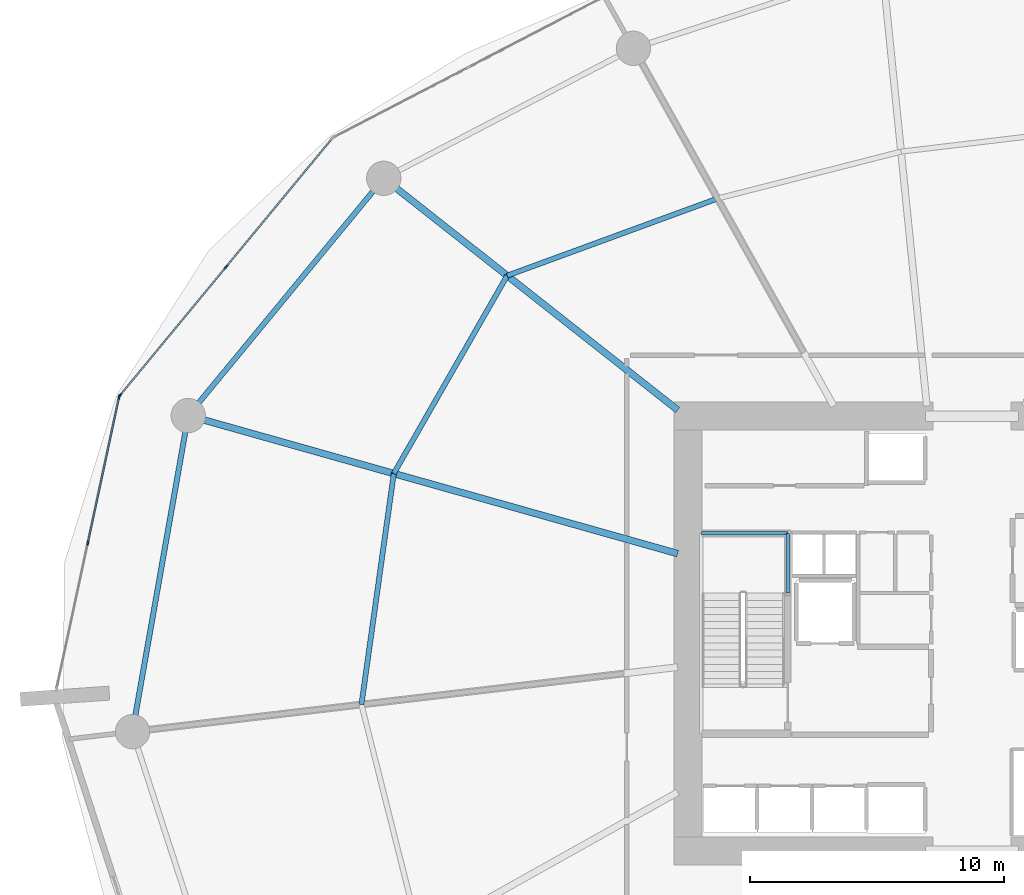
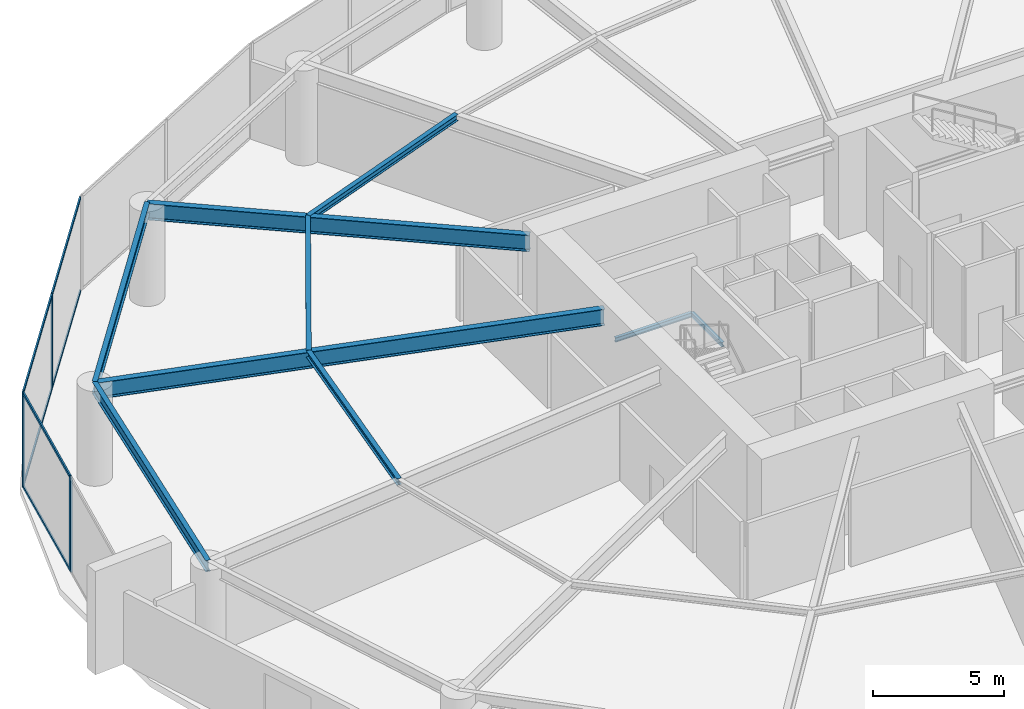
# One storey, part 12 of 22: 10 members, 9 beams, 2 elements without a shape of their own.
"""IFC4 building model written with IfcOpenShell, lengths in metres."""

import ifcopenshell
import ifcopenshell.guid

model = None  # the IFC model being written
_history = None  # IfcOwnerHistory: only IFC2X3 demands one
_inside = {}  # id of a spatial element -> (the spatial element, [elements in it])
_under = {}  # id of a project, library or spatial element -> (it, [spatial elements below it])
_declared = {}  # id of a project -> (the project, [libraries it declares])
_typed = {}  # id of a type object -> (the type object, [elements of that type])
_made_of = {}  # id of a material, layer set ... -> (it, [elements and type objects made of it])


def new_model(schema):
    """Start an empty IFC model of exactly this schema.

    Asked for "IFC4X3", IfcOpenShell would pick the latest addendum, in which some entities
    have other attributes; the version numbers below select the first issue.
    IFC2X3 requires an IfcOwnerHistory on every rooted entity: one is made here for all.
    """
    global model, _history
    if schema == "IFC4X3":
        model = ifcopenshell.file(schema_version=(4, 3, 0, 0))
    else:
        model = ifcopenshell.file(schema=schema)
    _inside.clear()
    _under.clear()
    _declared.clear()
    _typed.clear()
    _made_of.clear()
    _history = None
    if model.schema == "IFC2X3":
        org = make("IfcOrganization", Name="unknown")
        user = make(
            "IfcPersonAndOrganization",
            ThePerson=make("IfcPerson", FamilyName="unknown"),
            TheOrganization=org,
        )
        app = make(
            "IfcApplication",
            ApplicationDeveloper=org,
            Version="unknown",
            ApplicationFullName="unknown",
            ApplicationIdentifier="unknown",
        )
        _history = make(
            "IfcOwnerHistory",
            OwningUser=user,
            OwningApplication=app,
            ChangeAction="ADDED",
            CreationDate=0,
        )
    return model


def make(cls, **values):
    """One entity of the class cls with the attributes given. An attribute that is None is left unset."""
    return model.create_entity(
        cls, **{name: value for name, value in values.items() if value is not None}
    )


def rooted(cls, **values):
    """An entity with a GlobalId (a new one), such as an element, a storey or a relation."""
    return make(cls, GlobalId=ifcopenshell.guid.new(), OwnerHistory=_history, **values)


def si_unit(unit_type, name, prefix=None):
    """IfcSIUnit, for example si_unit("LENGTHUNIT", "METRE", prefix="MILLI")."""
    return make("IfcSIUnit", UnitType=unit_type, Prefix=prefix, Name=name)


def assignment(units):
    """IfcUnitAssignment: the units of a project."""
    return None if units is None else make("IfcUnitAssignment", Units=units)


def point(xyz):
    """IfcCartesianPoint."""
    return None if xyz is None else make("IfcCartesianPoint", Coordinates=xyz)


def direction(xyz):
    """IfcDirection."""
    return None if xyz is None else make("IfcDirection", DirectionRatios=xyz)


def frame(location, z_axis=None, x_axis=None):
    """IfcAxis2Placement3D, a coordinate frame: its origin and axes. An axis left out is left unset."""
    return make(
        "IfcAxis2Placement3D",
        Location=point(location),
        Axis=direction(z_axis),
        RefDirection=direction(x_axis),
    )


def frame_2d(location, x_axis=None):
    """IfcAxis2Placement2D, a coordinate frame in the plane: its origin and x axis."""
    return make(
        "IfcAxis2Placement2D", Location=point(location), RefDirection=direction(x_axis)
    )


def origin():
    """The frame at (0, 0, 0) with its axes left unset."""
    return frame((0.0, 0.0, 0.0))


def origin_2d():
    """The frame at (0, 0) in the plane with its x axis left unset."""
    return frame_2d((0.0, 0.0))


def place(relative_to, where):
    """IfcLocalPlacement: puts the frame where relative to a parent placement (None: the world)."""
    return make(
        "IfcLocalPlacement", PlacementRelTo=relative_to, RelativePlacement=where
    )


def context(
    kind, dimensions, precision=None, world=None, true_north=None, identifier=None
):
    """IfcGeometricRepresentationContext, for example the 3D "Model" context."""
    return make(
        "IfcGeometricRepresentationContext",
        ContextIdentifier=identifier,
        ContextType=kind,
        CoordinateSpaceDimension=dimensions,
        Precision=precision,
        WorldCoordinateSystem=world,
        TrueNorth=true_north,
    )


def subcontext(parent, identifier, kind, view, scale=None):
    """IfcGeometricRepresentationSubContext, for example "Body" below "Model"."""
    return make(
        "IfcGeometricRepresentationSubContext",
        ContextIdentifier=identifier,
        ContextType=kind,
        ParentContext=parent,
        TargetScale=scale,
        TargetView=view,
    )


def project(units=None, contexts=None):
    """IfcProject with its units and contexts."""
    return rooted(
        "IfcProject",
        Name="project",
        RepresentationContexts=contexts,
        UnitsInContext=assignment(units),
    )


def spatial(cls, under=None, at=None, **own):
    """A site, building, storey or space (cls), placed at a placement, below another one or the project."""
    s = rooted(cls, ObjectPlacement=at, **own)
    if under is not None:
        _under.setdefault(under.id(), (under, []))[1].append(s)
    return s


def profile(cls, at=None, kind="AREA", **sizes):
    """A parametric profile (cls). Its sizes go by their IFC names, for example OverallWidth=200.0."""
    return make(cls, ProfileType=kind, Position=at, **sizes)


def rectangle(**sizes):
    """IfcRectangleProfileDef."""
    return profile("IfcRectangleProfileDef", **sizes)


def i_section(**sizes):
    """IfcIShapeProfileDef."""
    return profile("IfcIShapeProfileDef", **sizes)


def extrude(swept, where, along, depth):
    """IfcExtrudedAreaSolid: the profile swept, set in the frame where, extruded along a direction by depth."""
    return make(
        "IfcExtrudedAreaSolid",
        SweptArea=swept,
        Position=where,
        ExtrudedDirection=direction(along),
        Depth=depth,
    )


def shape(context_of_items, identifier, shape_type, items):
    """IfcShapeRepresentation: the items that make up one representation, for example the "Body"."""
    return make(
        "IfcShapeRepresentation",
        ContextOfItems=context_of_items,
        RepresentationIdentifier=identifier,
        RepresentationType=shape_type,
        Items=items,
    )


def material(Name=None, Category=None):
    """IfcMaterial."""
    return make("IfcMaterial", Name=Name, Category=Category)


def layer(
    of_material, thickness, ventilated=None, Name=None, Category=None, Priority=None
):
    """IfcMaterialLayer: one layer of a wall or slab, of a material (None: an air gap)."""
    return make(
        "IfcMaterialLayer",
        Material=of_material,
        LayerThickness=thickness,
        IsVentilated=ventilated,
        Name=Name,
        Category=Category,
        Priority=Priority,
    )


def layer_set(layers, Name=None):
    """IfcMaterialLayerSet."""
    return make("IfcMaterialLayerSet", MaterialLayers=layers, LayerSetName=Name)


def material_profile(
    of_material, cross_section, Name=None, Category=None, Priority=None
):
    """IfcMaterialProfile: a cross section and its material."""
    return make(
        "IfcMaterialProfile",
        Name=Name,
        Material=of_material,
        Profile=cross_section,
        Priority=Priority,
        Category=Category,
    )


def profile_set(profiles, Name=None, composite=None):
    """IfcMaterialProfileSet."""
    return make(
        "IfcMaterialProfileSet",
        Name=Name,
        MaterialProfiles=profiles,
        CompositeProfile=composite,
    )


def made_of(thing, what):
    """Note that an element or type object is made of a material, layer set ...; save() writes the relation."""
    if what is not None:
        _made_of.setdefault(what.id(), (what, []))[1].append(thing)
    return thing


def type_object(cls, material=None, **own):
    """A type object (cls), such as IfcWallType, which elements share."""
    return made_of(rooted(cls, **own), material)


def element(
    cls,
    number,
    at=None,
    inside=None,
    cuts=None,
    type_object=None,
    material=None,
    context=None,
    identifier="Body",
    shape_type=None,
    held_by="IfcProductDefinitionShape",
    body=None,
    shapes=None,
    **own,
):
    """One element of the class cls, such as IfcWall. Its Tag is "e" and its number.

    at: its placement. inside: the storey or other place that contains it. cuts: it is an
    opening in that element (IfcRelVoidsElement). A single representation is given by context,
    identifier, shape_type and body (its items); several are given by shapes. held_by: the class
    of the entity that holds the representations. save() writes the other relations.
    """
    e = rooted(cls, Tag="e%d" % number, ObjectPlacement=at, **own)
    if body is not None:
        shapes = [shape(context, identifier, shape_type, body)]
    if shapes is not None:
        e.Representation = make(held_by, Representations=shapes)
    if inside is not None:
        _inside.setdefault(inside.id(), (inside, []))[1].append(e)
    if cuts is not None:
        rooted(
            "IfcRelVoidsElement", RelatingBuildingElement=cuts, RelatedOpeningElement=e
        )
    if type_object is not None:
        _typed.setdefault(type_object.id(), (type_object, []))[1].append(e)
    return made_of(e, material)


def aggregate(whole, parts):
    """IfcRelAggregates: a whole, such as a stair, and the parts it consists of."""
    return rooted("IfcRelAggregates", RelatingObject=whole, RelatedObjects=parts)


def save(model, path):
    """Write the relations noted so far, then the file.

    IfcRelAggregates (storeys below a building ...), IfcRelContainedInSpatialStructure (elements
    in a storey), IfcRelDefinesByType, IfcRelAssociatesMaterial and IfcRelDeclares: one each for
    every whole, place, type object, material and project.
    """
    for whole, parts in _under.values():
        aggregate(whole, parts)
    for where, things in _inside.values():
        rooted(
            "IfcRelContainedInSpatialStructure",
            RelatedElements=things,
            RelatingStructure=where,
        )
    for kind, things in _typed.values():
        rooted("IfcRelDefinesByType", RelatedObjects=things, RelatingType=kind)
    for what, things in _made_of.values():
        rooted("IfcRelAssociatesMaterial", RelatedObjects=things, RelatingMaterial=what)
    for by, libraries in _declared.values():
        rooted("IfcRelDeclares", RelatingContext=by, RelatedDefinitions=libraries)
    model.write(path)


model = new_model("IFC4")

# Units and contexts
model_context = context("Model", 3, precision=1e-05, world=origin(), true_north=direction((0.0, 1.0)))
body_context = subcontext(model_context, "Body", "Model", "MODEL_VIEW")
ifc_project = project(units=[si_unit("LENGTHUNIT", "METRE"), si_unit("AREAUNIT", "SQUARE_METRE"), si_unit("VOLUMEUNIT", "CUBIC_METRE"), si_unit("PLANEANGLEUNIT", "RADIAN"), si_unit("MASSUNIT", "GRAM", prefix="KILO")], contexts=[model_context])

# Site, building, storey
site_placement = place(None, origin())
site = spatial("IfcSite", under=ifc_project, at=site_placement, CompositionType="ELEMENT")
building_placement = place(site_placement, origin())
building = spatial("IfcBuilding", under=site, at=building_placement, Name="Kazma Halo Residences", CompositionType="ELEMENT")
storey_placement = place(building_placement, frame((0.0, 0.0, 16.800048828125)))
storey = spatial("IfcBuildingStorey", under=building, at=storey_placement, Name="L03", CompositionType="ELEMENT", Elevation=16.800048828125)

# Beams
ifc_material_1 = material(Name="Steel S355", Category="steel")
ifc_material_profile_1 = material_profile(ifc_material_1, i_section(OverallWidth=0.26708984375, OverallDepth=0.761962890625, WebThickness=0.014404296875, FlangeThickness=0.021484375, FilletRadius=0.02001953125, at=origin_2d()), Name="W760x173")
ifc_profile_set_1 = profile_set([ifc_material_profile_1], Name="Steel S355")
beam_type_1 = type_object("IfcBeamType", Name="BM-POD-W760", PredefinedType="BEAM", material=ifc_profile_set_1)
beam_1_placement = place(storey_placement, frame((36.85009765625, 50.7900390625, 4.01904296875), z_axis=(-0.785321582594, 0.619088048594, 0.0), x_axis=(-0.619088048594, -0.785321582594, 0.0)))
element("IfcBeam", 1, at=beam_1_placement, inside=storey, type_object=beam_type_1, Name="L03 radial floor beam 06", PredefinedType="BEAM", context=body_context, shape_type="SweptSolid", body=[
    extrude(i_section(OverallWidth=0.26708984375, OverallDepth=0.761962890625, WebThickness=0.014404296875, FlangeThickness=0.021484375, FilletRadius=0.02001953125, at=origin_2d()), origin(), (0.0, 0.0, 1.0), 14.718994140625),
])
beam_2_placement = place(storey_placement, frame((36.85009765625, 45.14453125, 4.01904296875), z_axis=(-0.962454909869, 0.271441607845, 0.0), x_axis=(-0.271441607845, -0.962454909869, 0.0)))
element("IfcBeam", 2, at=beam_2_placement, inside=storey, type_object=beam_type_1, Name="L03 radial floor beam 07", PredefinedType="BEAM", context=body_context, shape_type="SweptSolid", body=[
    extrude(i_section(OverallWidth=0.26708984375, OverallDepth=0.761962890625, WebThickness=0.014404296875, FlangeThickness=0.021484375, FilletRadius=0.02001953125, at=origin_2d()), origin(), (0.0, 0.0, 1.0), 19.99853515625),
])
ifc_material_profile_2 = material_profile(ifc_material_1, i_section(OverallWidth=0.202880859375, OverallDepth=0.302978515625, WebThickness=0.007568359375, FlangeThickness=0.01318359375, FilletRadius=0.013916015625, at=origin_2d()), Name="W310x60")
ifc_profile_set_2 = profile_set([ifc_material_profile_2], Name="Steel S355")
beam_type_2 = type_object("IfcBeamType", Name="BM-SEC-W310A", PredefinedType="JOIST", material=ifc_profile_set_2)
beam_3_placement = place(storey_placement, frame((38.419189453125, 59.10791015625, 4.24853515625), z_axis=(-0.938908549767, -0.344166725838, 0.0), x_axis=(0.344166725838, -0.938908549767, 0.0)))
element("IfcBeam", 3, at=beam_3_placement, inside=storey, type_object=beam_type_2, Name="L03 circumferential floor joist 05", PredefinedType="JOIST", context=body_context, shape_type="SweptSolid", body=[
    extrude(i_section(OverallWidth=0.202880859375, OverallDepth=0.302978515625, WebThickness=0.007568359375, FlangeThickness=0.01318359375, FilletRadius=0.013916015625, at=origin_2d()), origin(), (0.0, 0.0, 1.0), 8.811767578125),
])
beam_4_placement = place(storey_placement, frame((30.145751953125, 56.0751953125, 4.24853515625), z_axis=(-0.497199727341, -0.867636116775, 0.0), x_axis=(0.867636116775, -0.497199727341, 0.0)))
element("IfcBeam", 4, at=beam_4_placement, inside=storey, type_object=beam_type_2, Name="L03 circumferential floor joist 06", PredefinedType="JOIST", context=body_context, shape_type="SweptSolid", body=[
    extrude(i_section(OverallWidth=0.202880859375, OverallDepth=0.302978515625, WebThickness=0.007568359375, FlangeThickness=0.01318359375, FilletRadius=0.013916015625, at=origin_2d()), origin(), (0.0, 0.0, 1.0), 8.96923828125),
])
beam_5_placement = place(storey_placement, frame((25.686279296875, 48.293212890625, 4.24853515625), z_axis=(-0.138581542975, -0.99035102663, 0.0), x_axis=(0.99035102663, -0.138581542975, 0.0)))
element("IfcBeam", 5, at=beam_5_placement, inside=storey, type_object=beam_type_2, Name="L03 circumferential floor joist 07", PredefinedType="JOIST", context=body_context, shape_type="SweptSolid", body=[
    extrude(i_section(OverallWidth=0.202880859375, OverallDepth=0.302978515625, WebThickness=0.007568359375, FlangeThickness=0.01318359375, FilletRadius=0.013916015625, at=origin_2d()), origin(), (0.0, 0.0, 1.0), 9.17333984375),
])
ifc_material_profile_3 = material_profile(ifc_material_1, i_section(OverallWidth=0.208984375, OverallDepth=0.532958984375, WebThickness=0.01025390625, FlangeThickness=0.015625, FilletRadius=0.01611328125, at=origin_2d()), Name="W530x92")
ifc_profile_set_3 = profile_set([ifc_material_profile_3], Name="Steel S355")
beam_type_3 = type_object("IfcBeamType", Name="BM-SPN-W530", PredefinedType="BEAM", material=ifc_profile_set_3)
beam_6_placement = place(storey_placement, frame((25.291015625, 59.90234375, 4.133544921875), z_axis=(-0.635989643733, -0.771697591718, 0.0), x_axis=(0.771697591718, -0.635989643733, 0.0)))
element("IfcBeam", 6, at=beam_6_placement, inside=storey, type_object=beam_type_3, Name="L03 perimeter ring beam 06", PredefinedType="BEAM", context=body_context, shape_type="SweptSolid", body=[
    extrude(i_section(OverallWidth=0.208984375, OverallDepth=0.532958984375, WebThickness=0.01025390625, FlangeThickness=0.015625, FilletRadius=0.01611328125, at=origin_2d()), origin(), (0.0, 0.0, 1.0), 12.08935546875),
])
beam_7_placement = place(storey_placement, frame((17.602294921875, 50.572998046875, 4.133544921875), z_axis=(-0.173657334149, -0.984806138434, 0.0), x_axis=(0.984806138434, -0.173657334149, 0.0)))
element("IfcBeam", 7, at=beam_7_placement, inside=storey, type_object=beam_type_3, Name="L03 perimeter ring beam 07", PredefinedType="BEAM", context=body_context, shape_type="SweptSolid", body=[
    extrude(i_section(OverallWidth=0.208984375, OverallDepth=0.532958984375, WebThickness=0.01025390625, FlangeThickness=0.015625, FilletRadius=0.01611328125, at=origin_2d()), origin(), (0.0, 0.0, 1.0), 12.6220703125),
])
ifc_material_profile_4 = material_profile(ifc_material_1, i_section(OverallWidth=0.133056640625, OverallDepth=0.20703125, WebThickness=0.005859375, FlangeThickness=0.00830078125, FilletRadius=0.010009765625, at=origin_2d()), Name="W200x26.6")
ifc_profile_set_4 = profile_set([ifc_material_profile_4], Name="Steel S355")
beam_type_4 = type_object("IfcBeamType", Name="BM-TRIM-W200", PredefinedType="BEAM", material=ifc_profile_set_4)
beam_8_placement = place(storey_placement, frame((41.179931640625, 43.590087890625, 2.094970703125), z_axis=(0.0, 1.0, 0.0), x_axis=(-1.0, 0.0, 0.0)))
element("IfcBeam", 8, at=beam_8_placement, inside=storey, type_object=beam_type_4, Name="L03 ST-01 landing east wall ledger", PredefinedType="BEAM", context=body_context, shape_type="SweptSolid", body=[
    extrude(i_section(OverallWidth=0.133056640625, OverallDepth=0.20703125, WebThickness=0.005859375, FlangeThickness=0.00830078125, FilletRadius=0.010009765625, at=origin_2d()), origin(), (0.0, 0.0, 1.0), 2.349853515625),
])
beam_9_placement = place(storey_placement, frame((37.780029296875, 45.93994140625, 2.094970703125), z_axis=(1.0, 0.0, 0.0), x_axis=(0.0, 1.0, 0.0)))
element("IfcBeam", 9, at=beam_9_placement, inside=storey, type_object=beam_type_4, Name="L03 ST-01 landing end wall ledger", PredefinedType="BEAM", context=body_context, shape_type="SweptSolid", body=[
    extrude(i_section(OverallWidth=0.133056640625, OverallDepth=0.20703125, WebThickness=0.005859375, FlangeThickness=0.00830078125, FilletRadius=0.010009765625, at=origin_2d()), origin(), (0.0, 0.0, 1.0), 3.39990234375),
])

# Curtain wall, members
ifc_material_2 = material(Name="Aluminium AW-6063 T6 and Triple-Silver Low-E Glass", Category="aluminium")
ifc_layer = layer(ifc_material_2, 0.179931640625)
ifc_layer_set = layer_set([ifc_layer], Name="Aluminium AW-6063 T6 and Triple-Silver Low-E Glass")
curtain_wall_type = type_object("IfcCurtainWallType", Name="CW-SYS-1", PredefinedType="NOTDEFINED", material=ifc_layer_set)
curtain_wall_1_placement = place(storey_placement, origin())
curtain_wall_1 = element("IfcCurtainWall", 10, at=curtain_wall_1_placement, inside=storey, type_object=curtain_wall_type, Name="L03 unitised curtain wall B06", PredefinedType="NOTDEFINED")
ifc_material_3 = material(Name="Aluminium AW-6063 T6", Category="aluminium")
ifc_material_profile_5 = material_profile(ifc_material_3, rectangle(XDim=0.06494140625, YDim=0.179931640625, at=origin_2d()), Name="CWM-65x180")
ifc_profile_set_5 = profile_set([ifc_material_profile_5], Name="Aluminium AW-6063 T6")
member_type_1 = type_object("IfcMemberType", Name="CW-SYS-1-MUL", PredefinedType="MULLION", material=ifc_profile_set_5)
member_1_placement = place(storey_placement, frame((19.084716796875, 56.4140625, 0.0), z_axis=(0.0, 0.0, 1.0), x_axis=(0.771191775002, -0.636602895194, 0.0)))
member_1 = element("IfcMember", 11, at=member_1_placement, type_object=member_type_1, Name="CWS-1 mullion 2", PredefinedType="MULLION", context=body_context, shape_type="SweptSolid", body=[
    extrude(rectangle(XDim=0.06494140625, YDim=0.179931640625, at=origin_2d()), origin(), (0.0, 0.0, 1.0), 4.39990234375),
])
member_2_placement = place(storey_placement, frame((14.91455078125, 51.362060546875, 0.0), z_axis=(0.0, 0.0, 1.0), x_axis=(0.771191775002, -0.636602895194, 0.0)))
member_2 = element("IfcMember", 12, at=member_2_placement, type_object=member_type_1, Name="CWS-1 mullion 3", PredefinedType="MULLION", context=body_context, shape_type="SweptSolid", body=[
    extrude(rectangle(XDim=0.06494140625, YDim=0.179931640625, at=origin_2d()), origin(), (0.0, 0.0, 1.0), 4.39990234375),
])

curtain_wall_2_placement = place(storey_placement, origin())
curtain_wall_2 = element("IfcCurtainWall", 13, at=curtain_wall_2_placement, inside=storey, type_object=curtain_wall_type, Name="L03 unitised curtain wall B07", PredefinedType="NOTDEFINED")
member_3_placement = place(storey_placement, frame((14.886962890625, 51.30517578125, 0.0), z_axis=(0.0, 0.0, 1.0), x_axis=(0.977788157631, -0.209595607771, 0.0)))
member_3 = element("IfcMember", 14, at=member_3_placement, type_object=member_type_1, Name="CWS-1 mullion 1", PredefinedType="MULLION", context=body_context, shape_type="SweptSolid", body=[
    extrude(rectangle(XDim=0.06494140625, YDim=0.179931640625, at=origin_2d()), origin(), (0.0, 0.0, 1.0), 4.39990234375),
])
member_4_placement = place(storey_placement, frame((13.656494140625, 45.564697265625, 0.0), z_axis=(0.0, 0.0, 1.0), x_axis=(0.977788157631, -0.209595607771, 0.0)))
member_4 = element("IfcMember", 15, at=member_4_placement, type_object=member_type_1, Name="CWS-1 mullion 2", PredefinedType="MULLION", context=body_context, shape_type="SweptSolid", body=[
    extrude(rectangle(XDim=0.06494140625, YDim=0.179931640625, at=origin_2d()), origin(), (0.0, 0.0, 1.0), 4.39990234375),
])

# Member
ifc_material_profile_6 = material_profile(ifc_material_3, rectangle(XDim=0.06494140625, YDim=0.135009765625, at=origin_2d()), Name="CWT-65x135")
ifc_profile_set_6 = profile_set([ifc_material_profile_6], Name="Aluminium AW-6063 T6")
member_type_2 = type_object("IfcMemberType", Name="CW-SYS-1-TRN", PredefinedType="USERDEFINED", material=ifc_profile_set_6)
member_5_placement = place(storey_placement, frame((23.234375, 61.44091796875, 0.032470703125), z_axis=(-0.636593466061, -0.771199558459, 0.0), x_axis=(0.771199558459, -0.636593466061, 0.0)))
member_5 = element("IfcMember", 16, at=member_5_placement, type_object=member_type_2, Name="CWS-1 transom 1.1", ObjectType="TRANSOM", PredefinedType="USERDEFINED", context=body_context, shape_type="SweptSolid", body=[
    extrude(rectangle(XDim=0.06494140625, YDim=0.135009765625, at=origin_2d()), origin(), (0.0, 0.0, 1.0), 6.48583984375),
])

member_6_placement = place(storey_placement, frame((23.234375, 61.44091796875, 4.367431640625), z_axis=(-0.636593466061, -0.771199558459, 0.0), x_axis=(0.771199558459, -0.636593466061, 0.0)))
member_6 = element("IfcMember", 17, at=member_6_placement, type_object=member_type_2, Name="CWS-1 transom 1.2", ObjectType="TRANSOM", PredefinedType="USERDEFINED", context=body_context, shape_type="SweptSolid", body=[
    extrude(rectangle(XDim=0.06494140625, YDim=0.135009765625, at=origin_2d()), origin(), (0.0, 0.0, 1.0), 6.48583984375),
])

member_7_placement = place(storey_placement, frame((19.064208984375, 56.388916015625, 0.032470703125), z_axis=(-0.636615852507, -0.771181078825, 0.0), x_axis=(0.771181078825, -0.636615852507, 0.0)))
member_7 = element("IfcMember", 18, at=member_7_placement, type_object=member_type_2, Name="CWS-1 transom 2.1", ObjectType="TRANSOM", PredefinedType="USERDEFINED", context=body_context, shape_type="SweptSolid", body=[
    extrude(rectangle(XDim=0.06494140625, YDim=0.135009765625, at=origin_2d()), origin(), (0.0, 0.0, 1.0), 6.486083984375),
])

member_8_placement = place(storey_placement, frame((19.064208984375, 56.388916015625, 4.367431640625), z_axis=(-0.636615852507, -0.771181078825, 0.0), x_axis=(0.771181078825, -0.636615852507, 0.0)))
member_8 = element("IfcMember", 19, at=member_8_placement, type_object=member_type_2, Name="CWS-1 transom 2.2", ObjectType="TRANSOM", PredefinedType="USERDEFINED", context=body_context, shape_type="SweptSolid", body=[
    extrude(rectangle(XDim=0.06494140625, YDim=0.135009765625, at=origin_2d()), origin(), (0.0, 0.0, 1.0), 6.486083984375),
])

aggregate(curtain_wall_1, [member_1, member_2, member_5, member_6, member_7, member_8])

member_9_placement = place(storey_placement, frame((14.880126953125, 51.2734375, 0.032470703125), z_axis=(-0.209577907659, -0.977791951604, 0.0), x_axis=(0.977791951604, -0.209577907659, 0.0)))
member_9 = element("IfcMember", 20, at=member_9_placement, type_object=member_type_2, Name="CWS-1 transom 1.1", ObjectType="TRANSOM", PredefinedType="USERDEFINED", context=body_context, shape_type="SweptSolid", body=[
    extrude(rectangle(XDim=0.06494140625, YDim=0.135009765625, at=origin_2d()), origin(), (0.0, 0.0, 1.0), 5.805908203125),
])

member_10_placement = place(storey_placement, frame((14.880126953125, 51.2734375, 4.367431640625), z_axis=(-0.209577907659, -0.977791951604, 0.0), x_axis=(0.977791951604, -0.209577907659, 0.0)))
member_10 = element("IfcMember", 21, at=member_10_placement, type_object=member_type_2, Name="CWS-1 transom 1.2", ObjectType="TRANSOM", PredefinedType="USERDEFINED", context=body_context, shape_type="SweptSolid", body=[
    extrude(rectangle(XDim=0.06494140625, YDim=0.135009765625, at=origin_2d()), origin(), (0.0, 0.0, 1.0), 5.805908203125),
])

aggregate(curtain_wall_2, [member_3, member_4, member_9, member_10])

save(model, "model.ifc")
